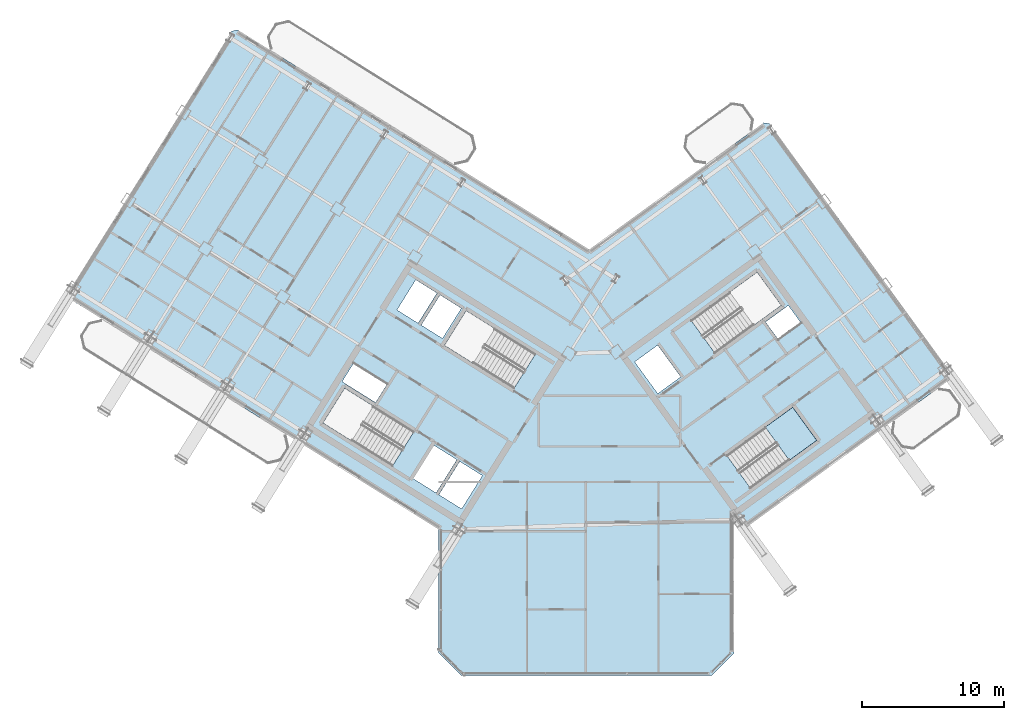
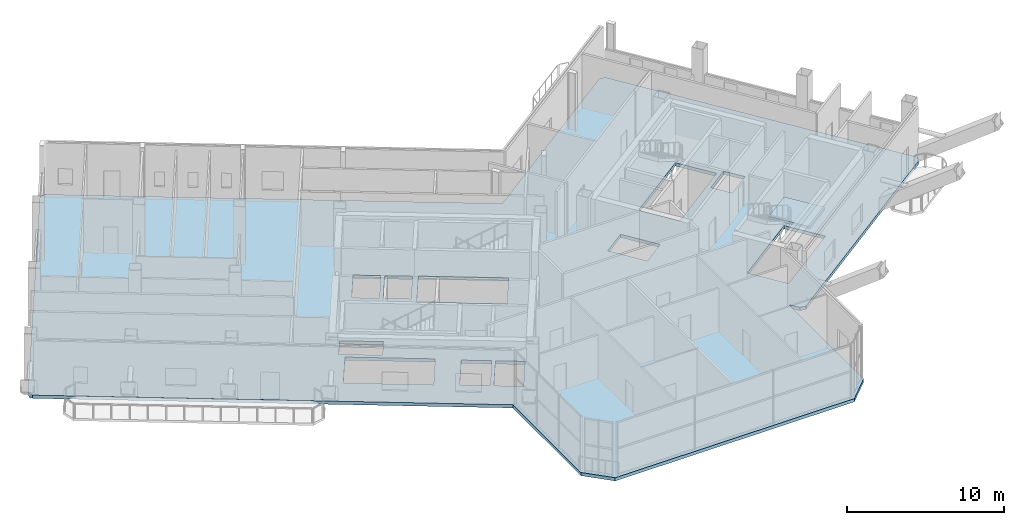
# One storey, part 15 of 34: 2 slabs, 1 element without a shape of its own.
"""IFC4 building model written with IfcOpenShell, lengths in metres."""

from ifc_helpers import new_model, si_unit, direction, frame, origin, place, context, subcontext, project, spatial, polyline, outline, extrude, material, layer, layer_set, type_object, element, aggregate, save


model = new_model("IFC4")

# Units and contexts
model_context = context("Model", 3, precision=1e-05, world=origin(), true_north=direction((0.0, 1.0)))
body_context = subcontext(model_context, "Body", "Model", "MODEL_VIEW")
ifc_project = project(units=[si_unit("LENGTHUNIT", "METRE"), si_unit("AREAUNIT", "SQUARE_METRE"), si_unit("VOLUMEUNIT", "CUBIC_METRE"), si_unit("PLANEANGLEUNIT", "RADIAN"), si_unit("MASSUNIT", "GRAM", prefix="KILO")], contexts=[model_context])

# Site, building, storey
site_placement = place(None, origin())
site = spatial("IfcSite", under=ifc_project, at=site_placement, CompositionType="ELEMENT")
building_placement = place(site_placement, origin())
building = spatial("IfcBuilding", under=site, at=building_placement, Name="Tlacorven Tower", CompositionType="ELEMENT")
storey_placement = place(building_placement, frame((0.0, 0.0, 229.199951171875)))
storey = spatial("IfcBuildingStorey", under=building, at=storey_placement, Name="L58", CompositionType="ELEMENT", Elevation=229.199951171875)

# Stair, slab
ifc_material = material(Name="Concrete C40/50", Category="concrete")
stair_type = type_object("IfcStairType", Name="ST-CORE-DLG", PredefinedType="HALF_TURN_STAIR", material=ifc_material)
stair_placement = place(storey_placement, origin())
stair = element("IfcStair", 1, at=stair_placement, inside=storey, type_object=stair_type, Name="L58 Protected Exit Stair East 2", PredefinedType="HALF_TURN_STAIR")
ifc_layer_1 = layer(ifc_material, 0.199951171875)
ifc_layer_set_1 = layer_set([ifc_layer_1], Name="Concrete C40/50")
slab_type_1 = type_object("IfcSlabType", Name="SL-LND-200", PredefinedType="LANDING", material=ifc_layer_set_1)
slab_1_placement = place(storey_placement, frame((0.0, 0.0, 2.050048828125)))
slab_1 = element("IfcSlab", 2, at=slab_1_placement, type_object=slab_type_1, Name="ST-E2 landing 1", PredefinedType="LANDING", context=body_context, shape_type="SweptSolid", body=[
    extrude(outline(polyline([(56.28125, 16.95361328125), (58.21484375, 18.3583984375), (56.52197265625, 20.6884765625), (54.58837890625, 19.283447265625), (56.28125, 16.95361328125)])), origin(), (0.0, 0.0, 1.0), 0.199951171875),
])
aggregate(stair, [slab_1])

# Slab
ifc_layer_2 = layer(ifc_material, 0.25)
ifc_layer_set_2 = layer_set([ifc_layer_2], Name="Concrete C40/50")
slab_type_2 = type_object("IfcSlabType", Name="SL-TWR-250", PredefinedType="FLOOR", material=ifc_layer_set_2)
slab_2_placement = place(storey_placement, frame((0.0, 0.0, -0.25)))
element("IfcSlab", 3, at=slab_2_placement, inside=storey, type_object=slab_type_2, Name="L58 Boomerang Tower Floor Slab", PredefinedType="FLOOR", context=body_context, shape_type="SweptSolid", body=[
    extrude(outline(polyline([(52.39990234375, 3.39990234375), (50.800048828125, 1.800048828125), (33.199951171875, 1.800048828125), (31.60009765625, 3.39990234375), (31.60009765625, 12.09423828125), (5.62451171875, 28.32568359375), (5.529052734375, 28.739013671875), (17.0390625, 47.15869140625), (17.452392578125, 47.254150390625), (42.19970703125, 31.790283203125), (54.481689453125, 40.713623046875), (54.90087890625, 40.647216796875), (67.66748046875, 23.075439453125), (67.60107421875, 22.656494140625), (53.265380859375, 12.24072265625), (52.846435546875, 12.30712890625), (52.39990234375, 12.921630859375), (52.39990234375, 3.39990234375)]), holes=[polyline([(29.865478515625, 18.979736328125), (24.9892578125, 22.02685546875), (23.463134765625, 19.58447265625), (28.33935546875, 16.537353515625), (29.865478515625, 18.979736328125)]), polyline([(38.4169921875, 24.4375), (33.540771484375, 27.484375), (32.0146484375, 25.0419921875), (36.890869140625, 21.9951171875), (38.4169921875, 24.4375)]), polyline([(51.05908203125, 24.481689453125), (55.7109375, 27.861572265625), (54.01806640625, 30.19140625), (49.3662109375, 26.811767578125), (51.05908203125, 24.481689453125)]), polyline([(53.56298828125, 14.978759765625), (58.21484375, 18.3583984375), (56.52197265625, 20.6884765625), (51.8701171875, 17.30859375), (53.56298828125, 14.978759765625)]), polyline([(34.682373046875, 15.87548828125), (33.088134765625, 16.871826171875), (31.62548828125, 14.531005859375), (33.2197265625, 13.534912109375), (34.682373046875, 15.87548828125)]), polyline([(32.884521484375, 16.9990234375), (31.2392578125, 18.02685546875), (29.77685546875, 15.686279296875), (31.421875, 14.658203125), (32.884521484375, 16.9990234375)]), polyline([(47.0234375, 21.648681640625), (48.6416015625, 22.82421875), (47.019287109375, 25.05712890625), (45.401123046875, 23.881591796875), (47.0234375, 21.648681640625)]), polyline([(33.197265625, 27.65185546875), (31.704833984375, 28.58447265625), (30.3798828125, 26.46435546875), (31.87255859375, 25.53173828125), (33.197265625, 27.65185546875)]), polyline([(31.484375, 28.722412109375), (29.99169921875, 29.655029296875), (28.6669921875, 27.534912109375), (30.159423828125, 26.602294921875), (31.484375, 28.722412109375)]), polyline([(27.96142578125, 22.2919921875), (25.603759765625, 23.76513671875), (24.80908203125, 22.4931640625), (27.16650390625, 21.02001953125), (27.96142578125, 22.2919921875)]), polyline([(55.490478515625, 25.4765625), (57.092529296875, 26.640380859375), (56.210693359375, 27.85400390625), (54.60888671875, 26.690185546875), (55.490478515625, 25.4765625)])]), origin(), (0.0, 0.0, 1.0), 0.25),
])

save(model, "model.ifc")
